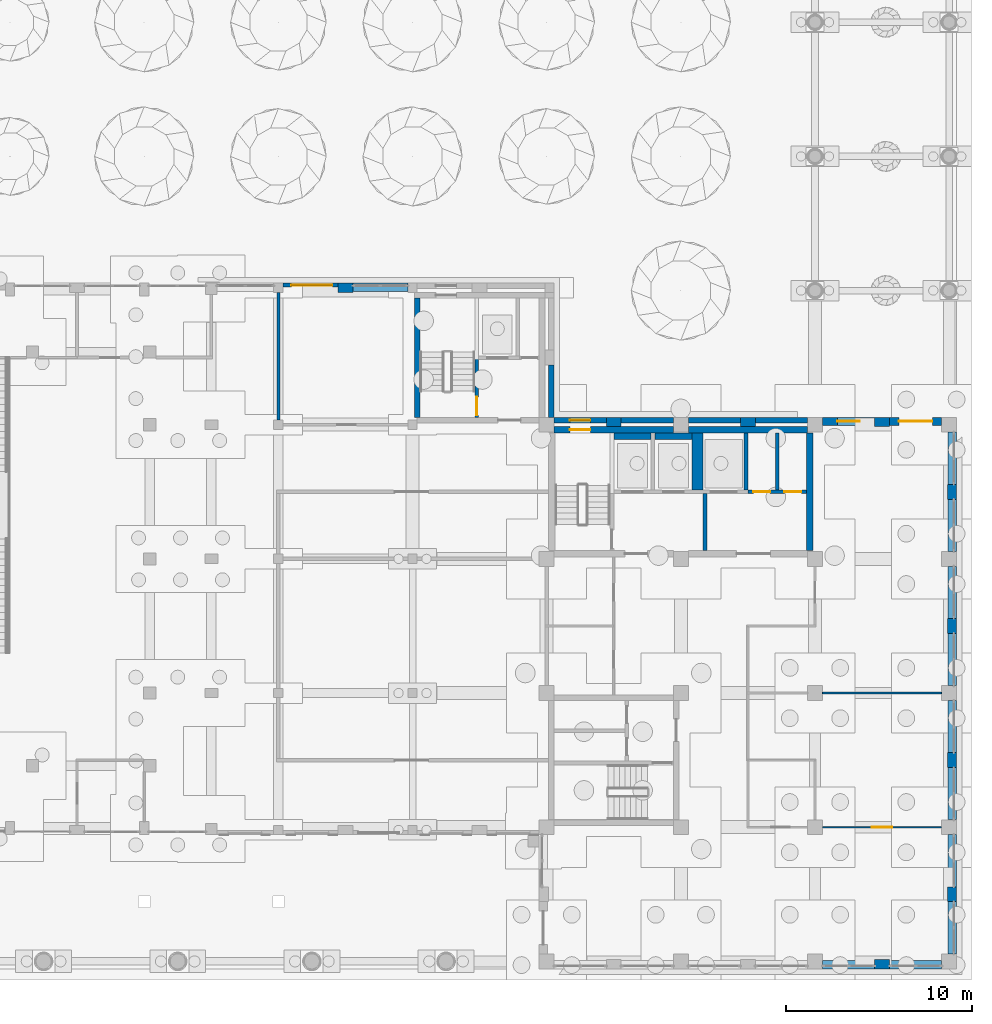
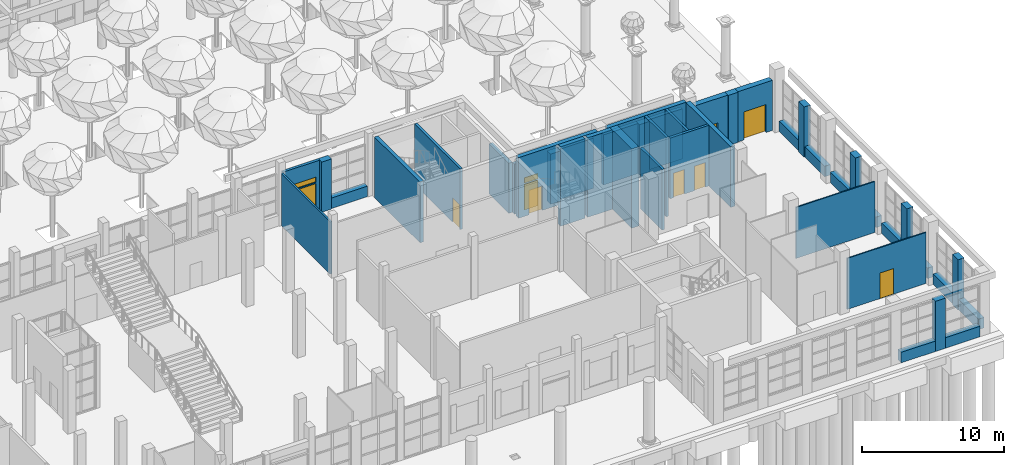
# One storey, part 46 of 80: 43 walls, 9 doors, 2 windows, 11 openings.
"""IFC4 building model written with IfcOpenShell, lengths in metres."""

from ifc_helpers import new_model, si_unit, direction, frame, frame_2d, origin, place, context, subcontext, project, spatial, rectangle, extrude, material, layer, layer_set, type_object, element, fill, save


model = new_model("IFC4")

# Units and contexts
model_context = context("Model", 3, precision=1e-05, world=origin(), true_north=direction((0.0, 1.0)))
body_context = subcontext(model_context, "Body", "Model", "MODEL_VIEW")
ifc_project = project(units=[si_unit("LENGTHUNIT", "METRE"), si_unit("AREAUNIT", "SQUARE_METRE"), si_unit("VOLUMEUNIT", "CUBIC_METRE"), si_unit("PLANEANGLEUNIT", "RADIAN"), si_unit("MASSUNIT", "GRAM", prefix="KILO")], contexts=[model_context])

# Site, building, storey
site_placement = place(None, origin())
site = spatial("IfcSite", under=ifc_project, at=site_placement, CompositionType="ELEMENT")
building_placement = place(site_placement, origin())
building = spatial("IfcBuilding", under=site, at=building_placement, Name="Ussher Court Research Institute", CompositionType="ELEMENT")
storey_placement = place(building_placement, origin())
storey = spatial("IfcBuildingStorey", under=building, at=storey_placement, Name="L00", CompositionType="ELEMENT", Elevation=0.0)

# Wall
ifc_material_1 = material(Name="Limestone facing on blockwork", Category="masonry")
ifc_layer_1 = layer(ifc_material_1, 0.300048828125)
ifc_layer_set_1 = layer_set([ifc_layer_1], Name="Limestone facing on blockwork")
wall_type_1 = type_object("IfcWallType", Name="External wall 300 stair enclosure", PredefinedType="SOLIDWALL", material=ifc_layer_set_1)
wall_1_placement = place(storey_placement, frame((82.449951171875, 36.0, 0.0), z_axis=(0.0, 0.0, 1.0), x_axis=(0.0, -1.0, 0.0)))
element("IfcWall", 1, at=wall_1_placement, inside=storey, type_object=wall_type_1, Name="External wall EW5 L00", PredefinedType="SOLIDWALL", context=body_context, shape_type="SweptSolid", body=[
    extrude(rectangle(XDim=2.800048828125, YDim=0.300048828125, at=frame_2d((1.39990234375, 0.0))), origin(), (0.0, 0.0, 1.0), 4.300048828125),
])

# Wall, openings, door, window
wall_2_placement = place(storey_placement, frame((82.60009765625, 33.050048828125, 0.0), z_axis=(0.0, 0.0, 1.0), x_axis=(1.0, 0.0, 0.0)))
wall_2 = element("IfcWall", 2, at=wall_2_placement, inside=storey, type_object=wall_type_1, Name="External wall EW5 L00", PredefinedType="SOLIDWALL", context=body_context, shape_type="SweptSolid", body=[
    extrude(rectangle(XDim=2.7998046875, YDim=0.300048828125, at=frame_2d((1.39990234375, 0.0))), origin(), (0.0, 0.0, 1.0), 4.300048828125),
])
opening_1_placement = place(wall_2_placement, frame((0.85009765625, 0.0, 0.0)))
opening_1 = element("IfcOpeningElement", 3, at=opening_1_placement, cuts=wall_2, Name="Opening DX12", PredefinedType="OPENING", context=body_context, shape_type="SweptSolid", body=[
    extrude(rectangle(XDim=1.10009765625, YDim=2.199951171875, at=frame_2d((0.550048828125, 1.10009765625))), frame((0.0, 0.16015625, 0.0), z_axis=(0.0, -1.0, 0.0), x_axis=(1.0, 0.0, 0.0)), (0.0, 0.0, 1.0), 0.320068359375),
])
opening_2_placement = place(wall_2_placement, frame((0.85009765625, 0.0, 2.300048828125)))
opening_2 = element("IfcOpeningElement", 4, at=opening_2_placement, cuts=wall_2, Name="Opening W18", PredefinedType="OPENING", context=body_context, shape_type="SweptSolid", body=[
    extrude(rectangle(XDim=1.10009765625, YDim=0.449951171875, at=frame_2d((0.550048828125, 0.22509765625))), frame((0.0, 0.16015625, 0.0), z_axis=(0.0, -1.0, 0.0), x_axis=(1.0, 0.0, 0.0)), (0.0, 0.0, 1.0), 0.320068359375),
])
ifc_material_2 = material(Name="Painted steel", Category="steel")
door_type_1 = type_object("IfcDoorType", Name="Stair discharge door 1100x2200", OperationType="SINGLE_SWING_LEFT", PredefinedType="DOOR", material=ifc_material_2)
door_1_placement = place(opening_1_placement, origin())
door_1 = element("IfcDoor", 5, at=door_1_placement, inside=storey, type_object=door_type_1, Name="Door DX12", OperationType="SINGLE_SWING_LEFT", OverallHeight=2.199951171875, OverallWidth=1.10009765625, PredefinedType="DOOR", context=body_context, shape_type="SweptSolid", body=[
    extrude(rectangle(XDim=1.10009765625, YDim=2.199951171875, at=frame_2d((0.550048828125, 1.10009765625))), frame((0.0, 0.02490234375, 0.0), z_axis=(0.0, -1.0, 0.0), x_axis=(1.0, 0.0, 0.0)), (0.0, 0.0, 1.0), 0.050048828125),
])
fill(opening_1, door_1)
ifc_material_3 = material(Name="Bronze anodised aluminium with double glazing", Category="aluminium")
window_type_1 = type_object("IfcWindowType", Name="Stair discharge transom light 1100x450", PartitioningType="SINGLE_PANEL", PredefinedType="WINDOW", material=ifc_material_3)
window_1_placement = place(opening_2_placement, origin())
window_1 = element("IfcWindow", 6, at=window_1_placement, inside=storey, type_object=window_type_1, Name="Window W18 L00", OverallHeight=0.449951171875, OverallWidth=1.10009765625, PartitioningType="SINGLE_PANEL", PredefinedType="WINDOW", context=body_context, shape_type="SweptSolid", body=[
    extrude(rectangle(XDim=1.10009765625, YDim=0.449951171875, at=frame_2d((0.550048828125, 0.22509765625))), frame((0.0, 0.030029296875, 0.0), z_axis=(0.0, -1.0, 0.0), x_axis=(1.0, 0.0, 0.0)), (0.0, 0.0, 1.0), 0.06005859375),
])
fill(opening_2, window_1)

# Walls
for number, where, z_axis, x_axis, name in (
    (7, (86.199951171875, 33.050048828125, 0.0), (0.0, 0.0, 1.0), (1.0, 0.0, 0.0), "External wall EW5 L00"),
    (8, (89.800048828125, 33.050048828125, 0.0), (0.0, 0.0, 1.0), (1.0, 0.0, 0.0), "External wall EW5 L00"),
    (9, (93.39990234375, 33.050048828125, 0.0), (0.0, 0.0, 1.0), (1.0, 0.0, 0.0), "External wall EW5 L00"),
):
    element("IfcWall", number, at=place(storey_placement, frame(where, z_axis=z_axis, x_axis=x_axis)), inside=storey, type_object=wall_type_1, Name=name, PredefinedType="SOLIDWALL", context=body_context, shape_type="SweptSolid", body=[
        extrude(rectangle(XDim=2.800048828125, YDim=0.300048828125, at=frame_2d((1.39990234375, 0.0))), origin(), (0.0, 0.0, 1.0), 4.300048828125),
    ])
ifc_material_4 = material(Name="Plastered blockwork", Category="masonry")
ifc_layer_2 = layer(ifc_material_4, 0.14990234375)
ifc_layer_set_2 = layer_set([ifc_layer_2], Name="Plastered blockwork")
wall_type_2 = type_object("IfcWallType", Name="Fire partition blockwork 150 EI 60", PredefinedType="PARTITIONING", material=ifc_layer_set_2)
wall_3_placement = place(storey_placement, frame((67.800048828125, 33.050048828125, 0.0), z_axis=(0.0, 0.0, 1.0), x_axis=(0.0, 1.0, 0.0)))
element("IfcWall", 10, at=wall_3_placement, inside=storey, type_object=wall_type_2, Name="Fire partition", PredefinedType="PARTITIONING", context=body_context, shape_type="SweptSolid", body=[
    extrude(rectangle(XDim=6.849853515625, YDim=0.14990234375, at=frame_2d((3.4248046875, 0.0))), origin(), (0.0, 0.0, 1.0), 4.469970703125),
])

# Wall, openings, door, window
ifc_material_5 = material(Name="Limestone facing on insulated blockwork", Category="masonry")
ifc_layer_3 = layer(ifc_material_5, 0.219970703125)
ifc_layer_set_3 = layer_set([ifc_layer_3], Name="Limestone facing on insulated blockwork")
wall_type_3 = type_object("IfcWallType", Name="Link wall 220 limestone faced insulated block", PredefinedType="SOLIDWALL", material=ifc_layer_set_3)
wall_4_placement = place(storey_placement, frame((68.050048828125, 40.2900390625, 0.0), z_axis=(0.0, 0.0, 1.0), x_axis=(1.0, 0.0, 0.0)))
wall_4 = element("IfcWall", 11, at=wall_4_placement, inside=storey, type_object=wall_type_3, Name="External wall EW6 L00", PredefinedType="SOLIDWALL", context=body_context, shape_type="SweptSolid", body=[
    extrude(rectangle(XDim=2.949951171875, YDim=0.219970703125, at=frame_2d((1.47509765625, 0.0))), origin(), (0.0, 0.0, 1.0), 4.300048828125),
])
opening_3_placement = place(wall_4_placement, frame((0.449951171875, 0.0, 0.0)))
opening_3 = element("IfcOpeningElement", 12, at=opening_3_placement, cuts=wall_4, Name="Opening DX26", PredefinedType="OPENING", context=body_context, shape_type="SweptSolid", body=[
    extrude(rectangle(XDim=2.199951171875, YDim=2.39990234375, at=frame_2d((1.10009765625, 1.199951171875))), frame((0.0, 0.1201171875, 0.0), z_axis=(0.0, -1.0, 0.0), x_axis=(1.0, 0.0, 0.0)), (0.0, 0.0, 1.0), 0.239990234375),
])
opening_4_placement = place(wall_4_placement, frame((0.449951171875, 0.0, 2.5)))
opening_4 = element("IfcOpeningElement", 13, at=opening_4_placement, cuts=wall_4, Name="Opening W22", PredefinedType="OPENING", context=body_context, shape_type="SweptSolid", body=[
    extrude(rectangle(XDim=2.199951171875, YDim=0.449951171875, at=frame_2d((1.10009765625, 0.22509765625))), frame((0.0, 0.1201171875, 0.0), z_axis=(0.0, -1.0, 0.0), x_axis=(1.0, 0.0, 0.0)), (0.0, 0.0, 1.0), 0.239990234375),
])
ifc_material_6 = material(Name="Bronze anodised aluminium with toughened glass", Category="aluminium")
door_type_2 = type_object("IfcDoorType", Name="Reading link entrance double door 2200x2400", OperationType="DOUBLE_DOOR_SINGLE_SWING", PredefinedType="DOOR", material=ifc_material_6)
door_2_placement = place(opening_3_placement, origin())
door_2 = element("IfcDoor", 14, at=door_2_placement, inside=storey, type_object=door_type_2, Name="Door DX26", OperationType="SINGLE_SWING_LEFT", OverallHeight=2.39990234375, OverallWidth=2.199951171875, PredefinedType="DOOR", context=body_context, shape_type="SweptSolid", body=[
    extrude(rectangle(XDim=2.199951171875, YDim=2.39990234375, at=frame_2d((1.10009765625, 1.199951171875))), frame((0.0, 0.02490234375, 0.0), z_axis=(0.0, -1.0, 0.0), x_axis=(1.0, 0.0, 0.0)), (0.0, 0.0, 1.0), 0.050048828125),
])
fill(opening_3, door_2)
ifc_material_7 = material(Name="Bronze anodised aluminium with double glazing", Category="aluminium")
window_type_2 = type_object("IfcWindowType", Name="Reading link entrance transom light 2200x450", PartitioningType="SINGLE_PANEL", PredefinedType="WINDOW", material=ifc_material_7)
window_2_placement = place(opening_4_placement, origin())
window_2 = element("IfcWindow", 15, at=window_2_placement, inside=storey, type_object=window_type_2, Name="Window W22 L00", OverallHeight=0.449951171875, OverallWidth=2.199951171875, PartitioningType="SINGLE_PANEL", PredefinedType="WINDOW", context=body_context, shape_type="SweptSolid", body=[
    extrude(rectangle(XDim=2.199951171875, YDim=0.449951171875, at=frame_2d((1.10009765625, 0.22509765625))), frame((0.0, 0.030029296875, 0.0), z_axis=(0.0, -1.0, 0.0), x_axis=(1.0, 0.0, 0.0)), (0.0, 0.0, 1.0), 0.06005859375),
])
fill(opening_4, window_2)

# Wall, opening, door
ifc_material_8 = material(Name="Plastered blockwork", Category="masonry")
ifc_layer_4 = layer(ifc_material_8, 0.10009765625)
ifc_layer_set_4 = layer_set([ifc_layer_4], Name="Plastered blockwork")
wall_type_4 = type_object("IfcWallType", Name="Partition plastered blockwork 100", PredefinedType="PARTITIONING", material=ifc_layer_set_4)
wall_5_placement = place(storey_placement, frame((97.0, 11.199951171875, 0.0), z_axis=(0.0, 0.0, 1.0), x_axis=(1.0, 0.0, 0.0)))
wall_5 = element("IfcWall", 16, at=wall_5_placement, inside=storey, type_object=wall_type_4, Name="Partition", PredefinedType="PARTITIONING", context=body_context, shape_type="SweptSolid", body=[
    extrude(rectangle(XDim=6.39990234375, YDim=0.10009765625, at=frame_2d((3.199951171875, 0.0))), origin(), (0.0, 0.0, 1.0), 4.3701171875),
])
opening_5_placement = place(wall_5_placement, frame((2.64990234375, 0.0, 0.0)))
opening_5 = element("IfcOpeningElement", 17, at=opening_5_placement, cuts=wall_5, Name="Opening D00096", PredefinedType="OPENING", context=body_context, shape_type="SweptSolid", body=[
    extrude(rectangle(XDim=1.10009765625, YDim=2.199951171875, at=frame_2d((0.550048828125, 1.10009765625))), frame((0.0, 0.06005859375, 0.0), z_axis=(0.0, -1.0, 0.0), x_axis=(1.0, 0.0, 0.0)), (0.0, 0.0, 1.0), 0.1201171875),
])
ifc_material_9 = material(Name="Veneered timber door", Category="wood")
door_type_3 = type_object("IfcDoorType", Name="Reception door 1100x2200", OperationType="NOTDEFINED", PredefinedType="DOOR", material=ifc_material_9)
door_3_placement = place(opening_5_placement, origin())
door_3 = element("IfcDoor", 18, at=door_3_placement, inside=storey, type_object=door_type_3, Name="Door D00096", OperationType="SINGLE_SWING_RIGHT", OverallHeight=2.199951171875, OverallWidth=1.10009765625, PredefinedType="DOOR", context=body_context, shape_type="SweptSolid", body=[
    extrude(rectangle(XDim=1.10009765625, YDim=2.199951171875, at=frame_2d((0.550048828125, 1.10009765625))), frame((0.0, 0.02490234375, 0.0), z_axis=(0.0, -1.0, 0.0), x_axis=(1.0, 0.0, 0.0)), (0.0, 0.0, 1.0), 0.050048828125),
])
fill(opening_5, door_3)

# Walls
wall_6_placement = place(storey_placement, frame((97.0, 18.39990234375, 0.0), z_axis=(0.0, 0.0, 1.0), x_axis=(1.0, 0.0, 0.0)))
element("IfcWall", 19, at=wall_6_placement, inside=storey, type_object=wall_type_4, Name="Partition", PredefinedType="PARTITIONING", context=body_context, shape_type="SweptSolid", body=[
    extrude(rectangle(XDim=6.39990234375, YDim=0.10009765625, at=frame_2d((3.199951171875, 0.0))), origin(), (0.0, 0.0, 1.0), 4.3701171875),
])
ifc_material_10 = material(Name="Rusticated limestone facing on blockwork", Category="masonry")
ifc_layer_5 = layer(ifc_material_10, 0.5)
ifc_layer_set_5 = layer_set([ifc_layer_5], Name="Rusticated limestone facing on blockwork")
wall_type_5 = type_object("IfcWallType", Name="Pier 800x500 rusticated limestone", PredefinedType="SOLIDWALL", material=ifc_layer_set_5)
for number, where, z_axis, x_axis, name in (
    (20, (71.0, 40.14990234375, 0.0), (0.0, 0.0, 1.0), (1.0, 0.0, 0.0), "Pier PR2 L00"),
    (21, (85.39990234375, 32.949951171875, 0.0), (0.0, 0.0, 1.0), (1.0, 0.0, 0.0), "Pier PR2 L00"),
):
    element("IfcWall", number, at=place(storey_placement, frame(where, z_axis=z_axis, x_axis=x_axis)), inside=storey, type_object=wall_type_5, Name=name, PredefinedType="SOLIDWALL", context=body_context, shape_type="SweptSolid", body=[
        extrude(rectangle(XDim=0.800048828125, YDim=0.5, at=frame_2d((0.39990234375, 0.0))), origin(), (0.0, 0.0, 1.0), 4.300048828125),
    ])
wall_7_placement = place(storey_placement, frame((92.60009765625, 32.949951171875, 0.0), z_axis=(0.0, 0.0, 1.0), x_axis=(1.0, 0.0, 0.0)))
element("IfcWall", 22, at=wall_7_placement, inside=storey, type_object=wall_type_5, Name="Pier PR2 L00", PredefinedType="SOLIDWALL", context=body_context, shape_type="SweptSolid", body=[
    extrude(rectangle(XDim=0.7998046875, YDim=0.5, at=frame_2d((0.39990234375, 0.0))), origin(), (0.0, 0.0, 1.0), 4.300048828125),
])
for number, where, z_axis, x_axis, name in (
    (23, (99.800048828125, 32.949951171875, 0.0), (0.0, 0.0, 1.0), (1.0, 0.0, 0.0), "Pier PR2 L00"),
    (24, (103.949951171875, 29.60009765625, 0.0), (0.0, 0.0, 1.0), (0.0, -1.0, 0.0), "Pier PR2 L00"),
):
    element("IfcWall", number, at=place(storey_placement, frame(where, z_axis=z_axis, x_axis=x_axis)), inside=storey, type_object=wall_type_5, Name=name, PredefinedType="SOLIDWALL", context=body_context, shape_type="SweptSolid", body=[
        extrude(rectangle(XDim=0.800048828125, YDim=0.5, at=frame_2d((0.39990234375, 0.0))), origin(), (0.0, 0.0, 1.0), 4.300048828125),
    ])
wall_8_placement = place(storey_placement, frame((103.949951171875, 22.39990234375, 0.0), z_axis=(0.0, 0.0, 1.0), x_axis=(0.0, -1.0, 0.0)))
element("IfcWall", 25, at=wall_8_placement, inside=storey, type_object=wall_type_5, Name="Pier PR2 L00", PredefinedType="SOLIDWALL", context=body_context, shape_type="SweptSolid", body=[
    extrude(rectangle(XDim=0.7998046875, YDim=0.5, at=frame_2d((0.39990234375, 0.0))), origin(), (0.0, 0.0, 1.0), 4.300048828125),
])
for number, where, z_axis, x_axis, name in (
    (26, (103.949951171875, 15.199951171875, 0.0), (0.0, 0.0, 1.0), (0.0, -1.0, 0.0), "Pier PR2 L00"),
    (27, (103.949951171875, 8.0, 0.0), (0.0, 0.0, 1.0), (0.0, -1.0, 0.0), "Pier PR2 L00"),
    (28, (100.60009765625, 3.85009765625, 0.0), (0.0, 0.0, 1.0), (-1.0, 0.0, 0.0), "Pier PR2 L00"),
):
    element("IfcWall", number, at=place(storey_placement, frame(where, z_axis=z_axis, x_axis=x_axis)), inside=storey, type_object=wall_type_5, Name=name, PredefinedType="SOLIDWALL", context=body_context, shape_type="SweptSolid", body=[
        extrude(rectangle(XDim=0.800048828125, YDim=0.5, at=frame_2d((0.39990234375, 0.0))), origin(), (0.0, 0.0, 1.0), 4.300048828125),
    ])
ifc_material_11 = material(Name="Rusticated limestone facing on blockwork", Category="masonry")
ifc_layer_6 = layer(ifc_material_11, 0.449951171875)
ifc_layer_set_6 = layer_set([ifc_layer_6], Name="Rusticated limestone facing on blockwork")
wall_type_6 = type_object("IfcWallType", Name="Plinth wall 450 rusticated limestone", PredefinedType="SOLIDWALL", material=ifc_layer_set_6)
wall_9_placement = place(storey_placement, frame((71.800048828125, 40.175048828125, 0.0), z_axis=(0.0, 0.0, 1.0), x_axis=(1.0, 0.0, 0.0)))
element("IfcWall", 29, at=wall_9_placement, inside=storey, type_object=wall_type_6, Name="Plinth wall EW4 L00", PredefinedType="SOLIDWALL", context=body_context, shape_type="SweptSolid", body=[
    extrude(rectangle(XDim=2.949951171875, YDim=0.449951171875, at=frame_2d((1.47509765625, 0.0))), origin(), (0.0, 0.0, 1.0), 0.89990234375),
])

# Wall, opening, door
wall_10_placement = place(storey_placement, frame((97.0, 32.97509765625, 0.0), z_axis=(0.0, 0.0, 1.0), x_axis=(1.0, 0.0, 0.0)))
wall_10 = element("IfcWall", 30, at=wall_10_placement, inside=storey, type_object=wall_type_6, Name="External wall EW4 L00", PredefinedType="SOLIDWALL", context=body_context, shape_type="SweptSolid", body=[
    extrude(rectangle(XDim=2.800048828125, YDim=0.449951171875, at=frame_2d((1.39990234375, 0.0))), origin(), (0.0, 0.0, 1.0), 4.300048828125),
])
opening_6_placement = place(wall_10_placement, frame((0.800048828125, 0.0, 0.0)))
opening_6 = element("IfcOpeningElement", 31, at=opening_6_placement, cuts=wall_10, Name="Opening DX13", PredefinedType="OPENING", context=body_context, shape_type="SweptSolid", body=[
    extrude(rectangle(XDim=1.199951171875, YDim=2.199951171875, at=frame_2d((0.60009765625, 1.10009765625))), frame((0.0, 0.23486328125, 0.0), z_axis=(0.0, -1.0, 0.0), x_axis=(1.0, 0.0, 0.0)), (0.0, 0.0, 1.0), 0.469970703125),
])
ifc_material_12 = material(Name="Galvanised steel louvred", Category="steel")
door_type_4 = type_object("IfcDoorType", Name="Plant door 1200x2200", OperationType="SINGLE_SWING_LEFT", PredefinedType="DOOR", material=ifc_material_12)
door_4_placement = place(opening_6_placement, origin())
door_4 = element("IfcDoor", 32, at=door_4_placement, inside=storey, type_object=door_type_4, Name="Door DX13", OperationType="SINGLE_SWING_LEFT", OverallHeight=2.199951171875, OverallWidth=1.199951171875, PredefinedType="DOOR", context=body_context, shape_type="SweptSolid", body=[
    extrude(rectangle(XDim=1.199951171875, YDim=2.199951171875, at=frame_2d((0.60009765625, 1.10009765625))), frame((0.0, 0.02490234375, 0.0), z_axis=(0.0, -1.0, 0.0), x_axis=(1.0, 0.0, 0.0)), (0.0, 0.0, 1.0), 0.050048828125),
])
fill(opening_6, door_4)

wall_11_placement = place(storey_placement, frame((100.60009765625, 32.97509765625, 0.0), z_axis=(0.0, 0.0, 1.0), x_axis=(1.0, 0.0, 0.0)))
wall_11 = element("IfcWall", 33, at=wall_11_placement, inside=storey, type_object=wall_type_6, Name="External wall EW4 L00", PredefinedType="SOLIDWALL", context=body_context, shape_type="SweptSolid", body=[
    extrude(rectangle(XDim=2.7998046875, YDim=0.449951171875, at=frame_2d((1.39990234375, 0.0))), origin(), (0.0, 0.0, 1.0), 4.300048828125),
])
opening_7_placement = place(wall_11_placement, frame((0.5, 0.0, 0.0)))
opening_7 = element("IfcOpeningElement", 34, at=opening_7_placement, cuts=wall_11, Name="Opening DX14", PredefinedType="OPENING", context=body_context, shape_type="SweptSolid", body=[
    extrude(rectangle(XDim=1.800048828125, YDim=2.39990234375, at=frame_2d((0.89990234375, 1.199951171875))), frame((0.0, 0.23486328125, 0.0), z_axis=(0.0, -1.0, 0.0), x_axis=(1.0, 0.0, 0.0)), (0.0, 0.0, 1.0), 0.469970703125),
])
ifc_material_13 = material(Name="Painted steel", Category="steel")
door_type_5 = type_object("IfcDoorType", Name="Goods door 1800x2400", OperationType="DOUBLE_DOOR_SINGLE_SWING", PredefinedType="DOOR", material=ifc_material_13)
door_5_placement = place(opening_7_placement, origin())
door_5 = element("IfcDoor", 35, at=door_5_placement, inside=storey, type_object=door_type_5, Name="Door DX14", OperationType="SINGLE_SWING_LEFT", OverallHeight=2.39990234375, OverallWidth=1.800048828125, PredefinedType="DOOR", context=body_context, shape_type="SweptSolid", body=[
    extrude(rectangle(XDim=1.800048828125, YDim=2.39990234375, at=frame_2d((0.89990234375, 1.199951171875))), frame((0.0, 0.02490234375, 0.0), z_axis=(0.0, -1.0, 0.0), x_axis=(1.0, 0.0, 0.0)), (0.0, 0.0, 1.0), 0.050048828125),
])
fill(opening_7, door_5)

# Walls
wall_12_placement = place(storey_placement, frame((103.97509765625, 32.39990234375, 0.0), z_axis=(0.0, 0.0, 1.0), x_axis=(0.0, -1.0, 0.0)))
element("IfcWall", 36, at=wall_12_placement, inside=storey, type_object=wall_type_6, Name="Plinth wall EW4 L00", PredefinedType="SOLIDWALL", context=body_context, shape_type="SweptSolid", body=[
    extrude(rectangle(XDim=2.7998046875, YDim=0.449951171875, at=frame_2d((1.39990234375, 0.0))), origin(), (0.0, 0.0, 1.0), 0.89990234375),
])
for number, where, z_axis, x_axis, name in (
    (37, (103.97509765625, 28.800048828125, 0.0), (0.0, 0.0, 1.0), (0.0, -1.0, 0.0), "Plinth wall EW4 L00"),
    (38, (103.97509765625, 25.199951171875, 0.0), (0.0, 0.0, 1.0), (0.0, -1.0, 0.0), "Plinth wall EW4 L00"),
    (39, (103.97509765625, 21.60009765625, 0.0), (0.0, 0.0, 1.0), (0.0, -1.0, 0.0), "Plinth wall EW4 L00"),
    (40, (103.97509765625, 18.0, 0.0), (0.0, 0.0, 1.0), (0.0, -1.0, 0.0), "Plinth wall EW4 L00"),
):
    element("IfcWall", number, at=place(storey_placement, frame(where, z_axis=z_axis, x_axis=x_axis)), inside=storey, type_object=wall_type_6, Name=name, PredefinedType="SOLIDWALL", context=body_context, shape_type="SweptSolid", body=[
        extrude(rectangle(XDim=2.800048828125, YDim=0.449951171875, at=frame_2d((1.39990234375, 0.0))), origin(), (0.0, 0.0, 1.0), 0.89990234375),
    ])
wall_13_placement = place(storey_placement, frame((103.97509765625, 14.39990234375, 0.0), z_axis=(0.0, 0.0, 1.0), x_axis=(0.0, -1.0, 0.0)))
element("IfcWall", 41, at=wall_13_placement, inside=storey, type_object=wall_type_6, Name="Plinth wall EW4 L00", PredefinedType="SOLIDWALL", context=body_context, shape_type="SweptSolid", body=[
    extrude(rectangle(XDim=2.7998046875, YDim=0.449951171875, at=frame_2d((1.39990234375, 0.0))), origin(), (0.0, 0.0, 1.0), 0.89990234375),
])
for number, where, z_axis, x_axis, name in (
    (42, (103.97509765625, 10.800048828125, 0.0), (0.0, 0.0, 1.0), (0.0, -1.0, 0.0), "Plinth wall EW4 L00"),
    (43, (103.97509765625, 7.199951171875, 0.0), (0.0, 0.0, 1.0), (0.0, -1.0, 0.0), "Plinth wall EW4 L00"),
):
    element("IfcWall", number, at=place(storey_placement, frame(where, z_axis=z_axis, x_axis=x_axis)), inside=storey, type_object=wall_type_6, Name=name, PredefinedType="SOLIDWALL", context=body_context, shape_type="SweptSolid", body=[
        extrude(rectangle(XDim=2.800048828125, YDim=0.449951171875, at=frame_2d((1.39990234375, 0.0))), origin(), (0.0, 0.0, 1.0), 0.89990234375),
    ])
wall_14_placement = place(storey_placement, frame((103.39990234375, 3.824951171875, 0.0), z_axis=(0.0, 0.0, 1.0), x_axis=(-1.0, 0.0, 0.0)))
element("IfcWall", 44, at=wall_14_placement, inside=storey, type_object=wall_type_6, Name="Plinth wall EW4 L00", PredefinedType="SOLIDWALL", context=body_context, shape_type="SweptSolid", body=[
    extrude(rectangle(XDim=2.7998046875, YDim=0.449951171875, at=frame_2d((1.39990234375, 0.0))), origin(), (0.0, 0.0, 1.0), 0.89990234375),
])
wall_15_placement = place(storey_placement, frame((99.800048828125, 3.824951171875, 0.0), z_axis=(0.0, 0.0, 1.0), x_axis=(-1.0, 0.0, 0.0)))
element("IfcWall", 45, at=wall_15_placement, inside=storey, type_object=wall_type_6, Name="Plinth wall EW4 L00", PredefinedType="SOLIDWALL", context=body_context, shape_type="SweptSolid", body=[
    extrude(rectangle(XDim=2.800048828125, YDim=0.449951171875, at=frame_2d((1.39990234375, 0.0))), origin(), (0.0, 0.0, 1.0), 0.89990234375),
])

# Wall, opening, door
ifc_material_14 = material(Name="Concrete C35/45", Category="concrete")
ifc_layer_7 = layer(ifc_material_14, 0.199951171875)
ifc_layer_set_7 = layer_set([ifc_layer_7], Name="Concrete C35/45")
wall_type_7 = type_object("IfcWallType", Name="RC core wall 200", PredefinedType="SHEAR", material=ifc_layer_set_7)
wall_16_placement = place(storey_placement, frame((78.449951171875, 39.60009765625, 0.0), z_axis=(0.0, 0.0, 1.0), x_axis=(0.0, -1.0, 0.0)))
wall_16 = element("IfcWall", 46, at=wall_16_placement, inside=storey, type_object=wall_type_7, Name="Core wall E1", PredefinedType="SHEAR", context=body_context, shape_type="SweptSolid", body=[
    extrude(rectangle(XDim=6.400146484375, YDim=0.199951171875, at=frame_2d((3.2001953125, 0.0))), origin(), (0.0, 0.0, 1.0), 5.199951171875),
])
opening_8_placement = place(wall_16_placement, frame((5.300048828125, 0.0, 0.0)))
opening_8 = element("IfcOpeningElement", 47, at=opening_8_placement, cuts=wall_16, Name="Opening D00062", PredefinedType="OPENING", context=body_context, shape_type="SweptSolid", body=[
    extrude(rectangle(XDim=1.0, YDim=2.10009765625, at=frame_2d((0.5, 1.050048828125))), frame((0.0, 0.10986328125, 0.0), z_axis=(0.0, -1.0, 0.0), x_axis=(1.0, 0.0, 0.0)), (0.0, 0.0, 1.0), 0.219970703125),
])
ifc_material_15 = material(Name="Painted steel faced fire door", Category="steel")
door_type_6 = type_object("IfcDoorType", Name="Fire door 1000x2100 FD60", OperationType="NOTDEFINED", PredefinedType="DOOR", material=ifc_material_15)
door_6_placement = place(opening_8_placement, origin())
door_6 = element("IfcDoor", 48, at=door_6_placement, inside=storey, type_object=door_type_6, Name="Door D00062", OperationType="SINGLE_SWING_RIGHT", OverallHeight=2.10009765625, OverallWidth=1.0, PredefinedType="DOOR", context=body_context, shape_type="SweptSolid", body=[
    extrude(rectangle(XDim=1.0, YDim=2.10009765625, at=frame_2d((0.5, 1.050048828125))), frame((0.0, 0.02490234375, 0.0), z_axis=(0.0, -1.0, 0.0), x_axis=(1.0, 0.0, 0.0)), (0.0, 0.0, 1.0), 0.050048828125),
])
fill(opening_8, door_6)

# Wall
wall_17_placement = place(storey_placement, frame((90.699951171875, 26.050048828125, 0.0), z_axis=(0.0, 0.0, 1.0), x_axis=(0.0, 1.0, 0.0)))
element("IfcWall", 49, at=wall_17_placement, inside=storey, type_object=wall_type_7, Name="Core wall T1", PredefinedType="SHEAR", context=body_context, shape_type="SweptSolid", body=[
    extrude(rectangle(XDim=3.050048828125, YDim=0.199951171875, at=frame_2d((1.52490234375, 0.0))), origin(), (0.0, 0.0, 1.0), 5.199951171875),
])

# Wall, openings, doors
wall_18_placement = place(storey_placement, frame((96.14990234375, 29.199951171875, 0.0), z_axis=(0.0, 0.0, 1.0), x_axis=(-1.0, 0.0, 0.0)))
wall_18 = element("IfcWall", 50, at=wall_18_placement, inside=storey, type_object=wall_type_7, Name="Core wall T1", PredefinedType="SHEAR", context=body_context, shape_type="SweptSolid", body=[
    extrude(rectangle(XDim=3.14990234375, YDim=0.199951171875, at=frame_2d((1.574951171875, 0.0))), origin(), (0.0, 0.0, 1.0), 5.199951171875),
])
opening_9_placement = place(wall_18_placement, frame((1.96240234375, 0.0, 0.0)))
opening_9 = element("IfcOpeningElement", 51, at=opening_9_placement, cuts=wall_18, Name="Opening D00087", PredefinedType="OPENING", context=body_context, shape_type="SweptSolid", body=[
    extrude(rectangle(XDim=0.89990234375, YDim=2.10009765625, at=frame_2d((0.449951171875, 1.050048828125))), frame((0.0, 0.10986328125, 0.0), z_axis=(0.0, -1.0, 0.0), x_axis=(1.0, 0.0, 0.0)), (0.0, 0.0, 1.0), 0.219970703125),
])
opening_10_placement = place(wall_18_placement, frame((0.28759765625, 0.0, 0.0)))
opening_10 = element("IfcOpeningElement", 52, at=opening_10_placement, cuts=wall_18, Name="Opening D00089", PredefinedType="OPENING", context=body_context, shape_type="SweptSolid", body=[
    extrude(rectangle(XDim=0.89990234375, YDim=2.10009765625, at=frame_2d((0.449951171875, 1.050048828125))), frame((0.0, 0.10986328125, 0.0), z_axis=(0.0, -1.0, 0.0), x_axis=(1.0, 0.0, 0.0)), (0.0, 0.0, 1.0), 0.219970703125),
])
ifc_material_16 = material(Name="Painted steel faced fire door", Category="steel")
door_type_7 = type_object("IfcDoorType", Name="Fire door 900x2100 FD60", OperationType="NOTDEFINED", PredefinedType="DOOR", material=ifc_material_16)
door_7_placement = place(opening_9_placement, origin())
door_7 = element("IfcDoor", 53, at=door_7_placement, inside=storey, type_object=door_type_7, Name="Door D00087", OperationType="SINGLE_SWING_RIGHT", OverallHeight=2.10009765625, OverallWidth=0.89990234375, PredefinedType="DOOR", context=body_context, shape_type="SweptSolid", body=[
    extrude(rectangle(XDim=0.89990234375, YDim=2.10009765625, at=frame_2d((0.449951171875, 1.050048828125))), frame((0.0, 0.02490234375, 0.0), z_axis=(0.0, -1.0, 0.0), x_axis=(1.0, 0.0, 0.0)), (0.0, 0.0, 1.0), 0.050048828125),
])
fill(opening_9, door_7)
door_8_placement = place(opening_10_placement, origin())
door_8 = element("IfcDoor", 54, at=door_8_placement, inside=storey, type_object=door_type_7, Name="Door D00089", OperationType="SINGLE_SWING_LEFT", OverallHeight=2.10009765625, OverallWidth=0.89990234375, PredefinedType="DOOR", context=body_context, shape_type="SweptSolid", body=[
    extrude(rectangle(XDim=0.89990234375, YDim=2.10009765625, at=frame_2d((0.449951171875, 1.050048828125))), frame((0.0, 0.02490234375, 0.0), z_axis=(0.0, -1.0, 0.0), x_axis=(1.0, 0.0, 0.0)), (0.0, 0.0, 1.0), 0.050048828125),
])
fill(opening_10, door_8)

# Walls
wall_19_placement = place(storey_placement, frame((92.89990234375, 29.300048828125, -1.60009765625), z_axis=(0.0, 0.0, 1.0), x_axis=(0.0, 1.0, 0.0)))
element("IfcWall", 55, at=wall_19_placement, inside=storey, type_object=wall_type_7, Name="Core wall T1", PredefinedType="SHEAR", context=body_context, shape_type="SweptSolid", body=[
    extrude(rectangle(XDim=3.050048828125, YDim=0.199951171875, at=frame_2d((1.52490234375, 0.0))), origin(), (0.0, 0.0, 1.0), 6.800048828125),
])
wall_20_placement = place(storey_placement, frame((94.574951171875, 29.300048828125, 0.0), z_axis=(0.0, 0.0, 1.0), x_axis=(0.0, 1.0, 0.0)))
element("IfcWall", 56, at=wall_20_placement, inside=storey, type_object=wall_type_7, Name="Core wall T1", PredefinedType="SHEAR", context=body_context, shape_type="SweptSolid", body=[
    extrude(rectangle(XDim=3.050048828125, YDim=0.199951171875, at=frame_2d((1.52490234375, 0.0))), origin(), (0.0, 0.0, 1.0), 5.199951171875),
])
ifc_material_17 = material(Name="Concrete C35/45", Category="concrete")
ifc_layer_8 = layer(ifc_material_17, 0.300048828125)
ifc_layer_set_8 = layer_set([ifc_layer_8], Name="Concrete C35/45")
wall_type_8 = type_object("IfcWallType", Name="RC core wall 300", PredefinedType="SHEAR", material=ifc_layer_set_8)
wall_21_placement = place(storey_placement, frame((75.25, 33.199951171875, 0.0), z_axis=(0.0, 0.0, 1.0), x_axis=(0.0, 1.0, 0.0)))
element("IfcWall", 57, at=wall_21_placement, inside=storey, type_object=wall_type_8, Name="Core wall E1", PredefinedType="SHEAR", context=body_context, shape_type="SweptSolid", body=[
    extrude(rectangle(XDim=6.400146484375, YDim=0.300048828125, at=frame_2d((3.2001953125, 0.0))), origin(), (0.0, 0.0, 1.0), 5.199951171875),
])

# Wall, opening, door
ifc_material_18 = material(Name="Concrete C35/45", Category="concrete")
ifc_layer_9 = layer(ifc_material_18, 0.35009765625)
ifc_layer_set_9 = layer_set([ifc_layer_9], Name="Concrete C35/45")
wall_type_9 = type_object("IfcWallType", Name="RC core wall 350", PredefinedType="SHEAR", material=ifc_layer_set_9)
wall_22_placement = place(storey_placement, frame((82.60009765625, 32.52490234375, 0.0), z_axis=(0.0, 0.0, 1.0), x_axis=(1.0, 0.0, 0.0)))
wall_22 = element("IfcWall", 58, at=wall_22_placement, inside=storey, type_object=wall_type_9, Name="Core wall T1", PredefinedType="SHEAR", context=body_context, shape_type="SweptSolid", body=[
    extrude(rectangle(XDim=6.39990234375, YDim=0.35009765625, at=frame_2d((3.199951171875, 0.0))), origin(), (0.0, 0.0, 1.0), 5.199951171875),
])
opening_11_placement = place(wall_22_placement, frame((0.85009765625, 0.0, 0.0)))
opening_11 = element("IfcOpeningElement", 59, at=opening_11_placement, cuts=wall_22, Name="Opening D00070", PredefinedType="OPENING", context=body_context, shape_type="SweptSolid", body=[
    extrude(rectangle(XDim=1.10009765625, YDim=2.10009765625, at=frame_2d((0.550048828125, 1.050048828125))), frame((0.0, 0.18505859375, 0.0), z_axis=(0.0, -1.0, 0.0), x_axis=(1.0, 0.0, 0.0)), (0.0, 0.0, 1.0), 0.3701171875),
])
ifc_material_19 = material(Name="Painted steel faced fire door", Category="steel")
door_type_8 = type_object("IfcDoorType", Name="Fire door 1100x2100 FD60", OperationType="NOTDEFINED", PredefinedType="DOOR", material=ifc_material_19)
door_9_placement = place(opening_11_placement, origin())
door_9 = element("IfcDoor", 60, at=door_9_placement, inside=storey, type_object=door_type_8, Name="Door D00070", OperationType="SINGLE_SWING_LEFT", OverallHeight=2.10009765625, OverallWidth=1.10009765625, PredefinedType="DOOR", context=body_context, shape_type="SweptSolid", body=[
    extrude(rectangle(XDim=1.10009765625, YDim=2.10009765625, at=frame_2d((0.550048828125, 1.050048828125))), frame((0.0, 0.02490234375, 0.0), z_axis=(0.0, -1.0, 0.0), x_axis=(1.0, 0.0, 0.0)), (0.0, 0.0, 1.0), 0.050048828125),
])
fill(opening_11, door_9)

# Walls
wall_23_placement = place(storey_placement, frame((89.800048828125, 32.52490234375, 0.0), z_axis=(0.0, 0.0, 1.0), x_axis=(1.0, 0.0, 0.0)))
element("IfcWall", 61, at=wall_23_placement, inside=storey, type_object=wall_type_9, Name="Core wall T1", PredefinedType="SHEAR", context=body_context, shape_type="SweptSolid", body=[
    extrude(rectangle(XDim=6.39990234375, YDim=0.35009765625, at=frame_2d((3.199951171875, 0.0))), origin(), (0.0, 0.0, 1.0), 5.199951171875),
])
wall_24_placement = place(storey_placement, frame((96.324951171875, 26.050048828125, 0.0), z_axis=(0.0, 0.0, 1.0), x_axis=(0.0, 1.0, 0.0)))
element("IfcWall", 62, at=wall_24_placement, inside=storey, type_object=wall_type_9, Name="Core wall T1", PredefinedType="SHEAR", context=body_context, shape_type="SweptSolid", body=[
    extrude(rectangle(XDim=6.300048828125, YDim=0.35009765625, at=frame_2d((3.14990234375, 0.0))), origin(), (0.0, 0.0, 1.0), 5.199951171875),
])
for number, where, z_axis, x_axis, name in (
    (63, (85.800048828125, 32.175048828125, -1.60009765625), (0.0, 0.0, 1.0), (1.0, 0.0, 0.0), "Core wall T1"),
    (64, (88.0, 32.175048828125, -1.60009765625), (0.0, 0.0, 1.0), (1.0, 0.0, 0.0), "Core wall T1"),
):
    element("IfcWall", number, at=place(storey_placement, frame(where, z_axis=z_axis, x_axis=x_axis)), inside=storey, type_object=wall_type_9, Name=name, PredefinedType="SHEAR", context=body_context, shape_type="SweptSolid", body=[
        extrude(rectangle(XDim=2.0, YDim=0.35009765625, at=frame_2d((1.0, 0.0))), origin(), (0.0, 0.0, 1.0), 6.800048828125),
    ])
ifc_material_20 = material(Name="Concrete C35/45", Category="concrete")
ifc_layer_10 = layer(ifc_material_20, 0.60009765625)
ifc_layer_set_10 = layer_set([ifc_layer_10], Name="Concrete C35/45")
wall_type_10 = type_object("IfcWallType", Name="RC core wall 600", PredefinedType="SHEAR", material=ifc_layer_set_10)
wall_25_placement = place(storey_placement, frame((90.300048828125, 29.300048828125, -1.60009765625), z_axis=(0.0, 0.0, 1.0), x_axis=(0.0, 1.0, 0.0)))
element("IfcWall", 65, at=wall_25_placement, inside=storey, type_object=wall_type_10, Name="Core wall T1", PredefinedType="SHEAR", context=body_context, shape_type="SweptSolid", body=[
    extrude(rectangle(XDim=3.050048828125, YDim=0.60009765625, at=frame_2d((1.52490234375, 0.0))), origin(), (0.0, 0.0, 1.0), 6.800048828125),
])

save(model, "model.ifc")
